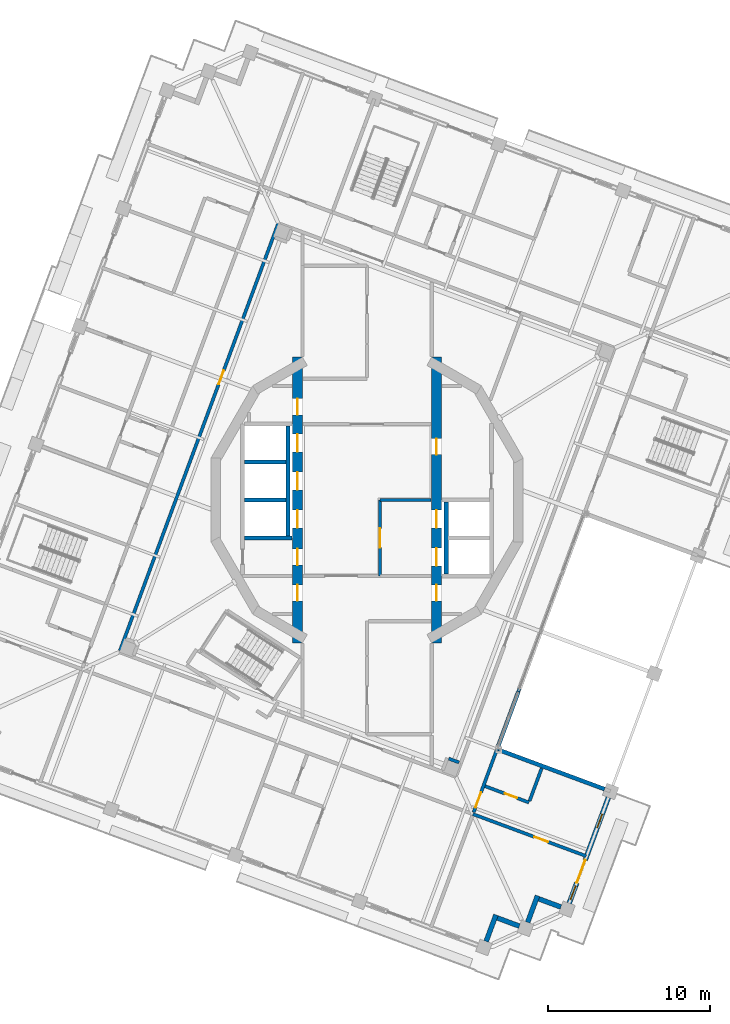
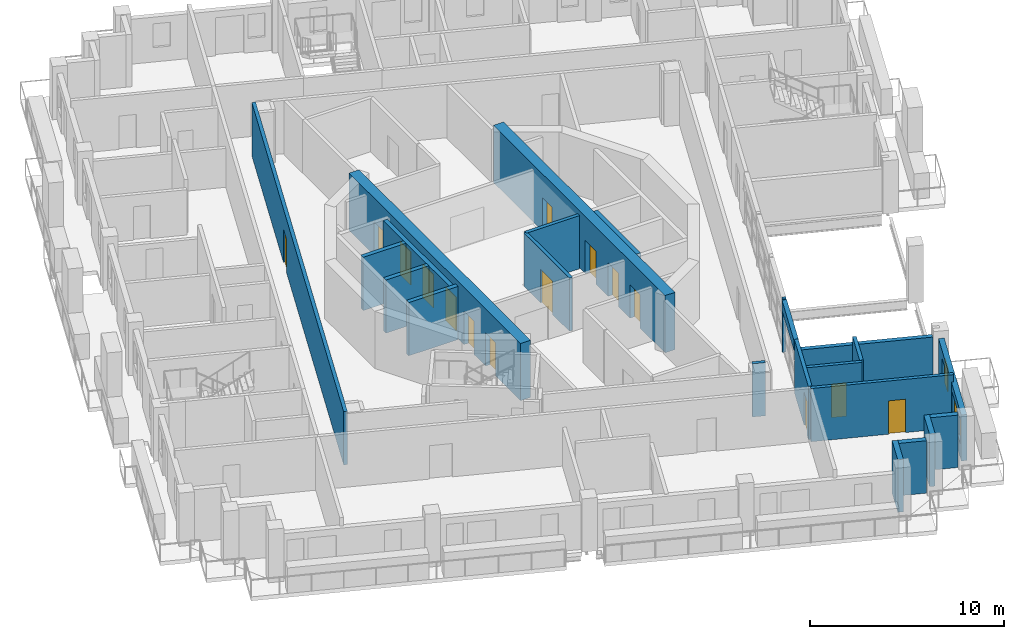
# One storey, part 7 of 19: 23 walls, 16 doors, 2 windows, 18 openings.
"""IFC4 building model written with IfcOpenShell, lengths in metres."""

from ifc_helpers import new_model, si_unit, direction, frame, frame_2d, origin, place, context, subcontext, project, spatial, rectangle, extrude, material, layer, layer_set, type_object, element, fill, save


model = new_model("IFC4")

# Units and contexts
model_context = context("Model", 3, precision=1e-05, world=origin(), true_north=direction((0.0, 1.0)))
body_context = subcontext(model_context, "Body", "Model", "MODEL_VIEW")
ifc_project = project(units=[si_unit("LENGTHUNIT", "METRE"), si_unit("AREAUNIT", "SQUARE_METRE"), si_unit("VOLUMEUNIT", "CUBIC_METRE"), si_unit("PLANEANGLEUNIT", "RADIAN"), si_unit("MASSUNIT", "GRAM", prefix="KILO")], contexts=[model_context])

# Site, building, storey
site_placement = place(None, origin())
site = spatial("IfcSite", under=ifc_project, at=site_placement, CompositionType="ELEMENT")
building_placement = place(site_placement, origin())
building = spatial("IfcBuilding", under=site, at=building_placement, Name="Cantera Rosa Tower", CompositionType="ELEMENT")
storey_placement = place(building_placement, frame((0.0, 0.0, 334.89990234375)))
storey = spatial("IfcBuildingStorey", under=building, at=storey_placement, Name="L75", CompositionType="ELEMENT", Elevation=334.89990234375)

# Wall, opening, door
ifc_material_1 = material(Name="Gypsum board partition")
ifc_layer_1 = layer(ifc_material_1, 0.199951171875)
ifc_layer_set_1 = layer_set([ifc_layer_1], Name="CORRIDOR WALL 200 H3350")
wall_type_1 = type_object("IfcWallType", Name="CORRIDOR WALL 200 H3350", PredefinedType="PARTITIONING", material=ifc_layer_set_1)
wall_1_placement = place(storey_placement, frame((-5.491455078125, 17.125244140625, 0.0), z_axis=(0.0, 0.0, 1.0), x_axis=(-0.347478457093, -0.937687966147, 0.0)))
wall_1 = element("IfcWall", 1, at=wall_1_placement, inside=storey, type_object=wall_type_1, Name="CORRIDOR WALL L75-045", PredefinedType="PARTITIONING", context=body_context, shape_type="SweptSolid", body=[
    extrude(rectangle(XDim=28.19970703125, YDim=0.199951171875, at=frame_2d((14.099853515625, 0.0))), origin(), (0.0, 0.0, 1.0), 3.35009765625),
])
opening_1_placement = place(wall_1_placement, frame((9.72509765625, 0.0, 0.0)))
opening_1 = element("IfcOpeningElement", 2, at=opening_1_placement, cuts=wall_1, Name="Opening L75-006", PredefinedType="OPENING", context=body_context, shape_type="SweptSolid", body=[
    extrude(rectangle(XDim=0.89990234375, YDim=2.10009765625, at=frame_2d((0.449951171875, 1.050048828125))), frame((0.0, 0.10986328125, 0.0), z_axis=(0.0, -1.0, 0.0), x_axis=(1.0, 0.0, 0.0)), (0.0, 0.0, 1.0), 0.219970703125),
])
ifc_material_2 = material(Name="Timber door leaf", Category="wood")
door_type_1 = type_object("IfcDoorType", Name="SERVICE DOOR 900x2100", OperationType="NOTDEFINED", PredefinedType="DOOR", material=ifc_material_2)
door_1_placement = place(opening_1_placement, origin())
door_1 = element("IfcDoor", 3, at=door_1_placement, inside=storey, type_object=door_type_1, Name="DOOR L75-006", OperationType="NOTDEFINED", OverallHeight=2.10009765625, OverallWidth=0.89990234375, PredefinedType="DOOR", context=body_context, shape_type="SweptSolid", body=[
    extrude(rectangle(XDim=0.89990234375, YDim=2.10009765625, at=frame_2d((0.449951171875, 1.050048828125))), frame((0.0, 0.02490234375, 0.0), z_axis=(0.0, -1.0, 0.0), x_axis=(1.0, 0.0, 0.0)), (0.0, 0.0, 1.0), 0.050048828125),
])
fill(opening_1, door_1)

wall_2_placement = place(storey_placement, frame((6.595458984375, -19.326171875, 0.0), z_axis=(0.0, 0.0, 1.0), x_axis=(0.347486922611, 0.937684829042, 0.0)))
wall_2 = element("IfcWall", 4, at=wall_2_placement, inside=storey, type_object=wall_type_1, Name="CORRIDOR WALL L75-090", PredefinedType="PARTITIONING", context=body_context, shape_type="SweptSolid", body=[
    extrude(rectangle(XDim=4.28515625, YDim=0.199951171875, at=frame_2d((2.142578125, 0.0))), origin(), (0.0, 0.0, 1.0), 3.35009765625),
])
opening_2_placement = place(wall_2_placement, frame((0.320068359375, 0.0, 0.0)))
opening_2 = element("IfcOpeningElement", 5, at=opening_2_placement, cuts=wall_2, Name="Opening L75-046", PredefinedType="OPENING", context=body_context, shape_type="SweptSolid", body=[
    extrude(rectangle(XDim=1.0, YDim=2.10009765625, at=frame_2d((0.5, 1.050048828125))), frame((0.0, 0.10986328125, 0.0), z_axis=(0.0, -1.0, 0.0), x_axis=(1.0, 0.0, 0.0)), (0.0, 0.0, 1.0), 0.219970703125),
])
ifc_material_3 = material(Name="Timber door leaf", Category="wood")
door_type_2 = type_object("IfcDoorType", Name="ENTRANCE DOOR 1000x2100", OperationType="NOTDEFINED", PredefinedType="DOOR", material=ifc_material_3)
door_2_placement = place(opening_2_placement, origin())
door_2 = element("IfcDoor", 6, at=door_2_placement, inside=storey, type_object=door_type_2, Name="DOOR L75-046", OperationType="NOTDEFINED", OverallHeight=2.10009765625, OverallWidth=1.0, PredefinedType="DOOR", context=body_context, shape_type="SweptSolid", body=[
    extrude(rectangle(XDim=1.0, YDim=2.10009765625, at=frame_2d((0.5, 1.050048828125))), frame((0.0, 0.02490234375, 0.0), z_axis=(0.0, -1.0, 0.0), x_axis=(1.0, 0.0, 0.0)), (0.0, 0.0, 1.0), 0.050048828125),
])
fill(opening_2, door_2)

# Walls
wall_3_placement = place(storey_placement, frame((9.359130859375, -11.86865234375, 0.0), z_axis=(0.0, 0.0, 1.0), x_axis=(0.347396343458, 0.937718390857, 0.0)))
element("IfcWall", 7, at=wall_3_placement, inside=storey, type_object=wall_type_1, Name="CORRIDOR WALL L75-091", PredefinedType="PARTITIONING", context=body_context, shape_type="SweptSolid", body=[
    extrude(rectangle(XDim=0.19384765625, YDim=0.199951171875, at=frame_2d((0.096923828125, 0.0))), origin(), (0.0, 0.0, 1.0), 3.35009765625),
])
ifc_material_4 = material(Name="Hollow clay masonry with cantera stone cladding", Category="masonry")
ifc_layer_2 = layer(ifc_material_4, 0.300048828125)
ifc_layer_set_2 = layer_set([ifc_layer_2], Name="EW-LOGGIA 300")
wall_type_2 = type_object("IfcWallType", Name="EW-LOGGIA 300", PredefinedType="SOLIDWALL", material=ifc_layer_set_2)
wall_4_placement = place(storey_placement, frame((7.36865234375, -27.312255859375, 0.0), z_axis=(0.0, 0.0, 1.0), x_axis=(0.34752790836, 0.937669639538, 0.0)))
element("IfcWall", 8, at=wall_4_placement, inside=storey, type_object=wall_type_2, Name="EN-L75-W18a", PredefinedType="SOLIDWALL", context=body_context, shape_type="SweptSolid", body=[
    extrude(rectangle(XDim=1.75, YDim=0.300048828125, at=frame_2d((0.875, 0.0))), origin(), (0.0, 0.0, 1.0), 3.300048828125),
])
wall_5_placement = place(storey_placement, frame((8.065185546875, -25.8642578125, 0.0), z_axis=(0.0, 0.0, 1.0), x_axis=(0.937671557958, -0.347522732201, 0.0)))
element("IfcWall", 9, at=wall_5_placement, inside=storey, type_object=wall_type_2, Name="EN-L75-W18b", PredefinedType="SOLIDWALL", context=body_context, shape_type="SweptSolid", body=[
    extrude(rectangle(XDim=1.449951171875, YDim=0.300048828125, at=frame_2d((0.72509765625, 0.0))), origin(), (0.0, 0.0, 1.0), 3.300048828125),
])
wall_6_placement = place(storey_placement, frame((9.93896484375, -26.132080078125, 0.0), z_axis=(0.0, 0.0, 1.0), x_axis=(0.34748245117, 0.937686486054, 0.0)))
element("IfcWall", 10, at=wall_6_placement, inside=storey, type_object=wall_type_2, Name="EN-L75-W19a", PredefinedType="SOLIDWALL", context=body_context, shape_type="SweptSolid", body=[
    extrude(rectangle(XDim=1.750244140625, YDim=0.300048828125, at=frame_2d((0.875, 0.0))), origin(), (0.0, 0.0, 1.0), 3.300048828125),
])
wall_7_placement = place(storey_placement, frame((10.635498046875, -24.683837890625, 0.0), z_axis=(0.0, 0.0, 1.0), x_axis=(0.937671557958, -0.347522732201, 0.0)))
element("IfcWall", 11, at=wall_7_placement, inside=storey, type_object=wall_type_2, Name="EN-L75-W19b", PredefinedType="SOLIDWALL", context=body_context, shape_type="SweptSolid", body=[
    extrude(rectangle(XDim=1.449951171875, YDim=0.300048828125, at=frame_2d((0.72509765625, 0.0))), origin(), (0.0, 0.0, 1.0), 3.300048828125),
])

# Wall, openings, windows, door
ifc_material_5 = material(Name="Hollow clay masonry with cantera stone cladding", Category="masonry")
ifc_layer_3 = layer(ifc_material_5, 0.300048828125)
ifc_layer_set_3 = layer_set([ifc_layer_3], Name="EW-LOGGIA 300 H2890")
wall_type_3 = type_object("IfcWallType", Name="EW-LOGGIA 300 H2890", PredefinedType="SOLIDWALL", material=ifc_layer_set_3)
wall_8_placement = place(storey_placement, frame((12.50927734375, -24.95166015625, 0.0), z_axis=(0.0, 0.0, 1.0), x_axis=(0.347490919506, 0.937683347864, 0.0)))
wall_8 = element("IfcWall", 12, at=wall_8_placement, inside=storey, type_object=wall_type_3, Name="EN-L75-W20", PredefinedType="SOLIDWALL", context=body_context, shape_type="SweptSolid", body=[
    extrude(rectangle(XDim=6.980224609375, YDim=0.300048828125, at=frame_2d((3.490234375, 0.0))), origin(), (0.0, 0.0, 1.0), 2.89013671875),
])
opening_3_placement = place(wall_8_placement, frame((0.2451171875, 0.0, 0.89990234375)))
opening_3 = element("IfcOpeningElement", 13, at=opening_3_placement, cuts=wall_8, Name="Opening L75-W40", PredefinedType="OPENING", context=body_context, shape_type="SweptSolid", body=[
    extrude(rectangle(XDim=0.89990234375, YDim=1.5, at=frame_2d((0.449951171875, 0.75))), frame((0.0, 0.159912109375, 0.0), z_axis=(0.0, -1.0, 0.0), x_axis=(1.0, 0.0, 0.0)), (0.0, 0.0, 1.0), 0.320068359375),
])
opening_4_placement = place(wall_8_placement, frame((1.344970703125, 0.0, 0.0)))
opening_4 = element("IfcOpeningElement", 14, at=opening_4_placement, cuts=wall_8, Name="Opening L75-TD41", PredefinedType="OPENING", context=body_context, shape_type="SweptSolid", body=[
    extrude(rectangle(XDim=1.5, YDim=2.39990234375, at=frame_2d((0.75, 1.199951171875))), frame((0.0, 0.159912109375, 0.0), z_axis=(0.0, -1.0, 0.0), x_axis=(1.0, 0.0, 0.0)), (0.0, 0.0, 1.0), 0.320068359375),
])
opening_5_placement = place(wall_8_placement, frame((4.985107421875, 0.0, 0.89990234375)))
opening_5 = element("IfcOpeningElement", 15, at=opening_5_placement, cuts=wall_8, Name="Opening L75-W42", PredefinedType="OPENING", context=body_context, shape_type="SweptSolid", body=[
    extrude(rectangle(XDim=0.89990234375, YDim=1.5, at=frame_2d((0.449951171875, 0.75))), frame((0.0, 0.159912109375, 0.0), z_axis=(0.0, -1.0, 0.0), x_axis=(1.0, 0.0, 0.0)), (0.0, 0.0, 1.0), 0.320068359375),
])
ifc_material_6 = material(Name="Aluminium frame with clear glass", Category="aluminium")
window_type = type_object("IfcWindowType", Name="Residential window 900x1500", PartitioningType="SINGLE_PANEL", PredefinedType="WINDOW", material=ifc_material_6)
window_1_placement = place(opening_3_placement, origin())
window_1 = element("IfcWindow", 16, at=window_1_placement, inside=storey, type_object=window_type, Name="WINDOW L75-W40", OverallHeight=1.5, OverallWidth=0.89990234375, PartitioningType="SINGLE_PANEL", PredefinedType="WINDOW", context=body_context, shape_type="SweptSolid", body=[
    extrude(rectangle(XDim=0.89990234375, YDim=1.5, at=frame_2d((0.449951171875, 0.75))), frame((0.0, 0.030029296875, 0.0), z_axis=(0.0, -1.0, 0.0), x_axis=(1.0, 0.0, 0.0)), (0.0, 0.0, 1.0), 0.06005859375),
])
fill(opening_3, window_1)
window_2_placement = place(opening_5_placement, origin())
window_2 = element("IfcWindow", 17, at=window_2_placement, inside=storey, type_object=window_type, Name="WINDOW L75-W42", OverallHeight=1.5, OverallWidth=0.89990234375, PartitioningType="SINGLE_PANEL", PredefinedType="WINDOW", context=body_context, shape_type="SweptSolid", body=[
    extrude(rectangle(XDim=0.89990234375, YDim=1.5, at=frame_2d((0.449951171875, 0.75))), frame((0.0, 0.030029296875, 0.0), z_axis=(0.0, -1.0, 0.0), x_axis=(1.0, 0.0, 0.0)), (0.0, 0.0, 1.0), 0.06005859375),
])
fill(opening_5, window_2)
ifc_material_7 = material(Name="Aluminium frame with clear glass", Category="aluminium")
door_type_3 = type_object("IfcDoorType", Name="TD-R 1500x2400", OperationType="NOTDEFINED", PredefinedType="DOOR", material=ifc_material_7)
door_3_placement = place(opening_4_placement, origin())
door_3 = element("IfcDoor", 18, at=door_3_placement, inside=storey, type_object=door_type_3, Name="LOGGIA DOOR L75-TD41", OperationType="SLIDING_TO_LEFT", OverallHeight=2.39990234375, OverallWidth=1.5, PredefinedType="DOOR", context=body_context, shape_type="SweptSolid", body=[
    extrude(rectangle(XDim=1.5, YDim=2.39990234375, at=frame_2d((0.75, 1.199951171875))), frame((0.0, 0.02490234375, 0.0), z_axis=(0.0, -1.0, 0.0), x_axis=(1.0, 0.0, 0.0)), (0.0, 0.0, 1.0), 0.050048828125),
])
fill(opening_4, door_3)

# Walls
ifc_material_8 = material(Name="Concrete C40/50", Category="concrete")
ifc_layer_4 = layer(ifc_material_8, 0.25)
ifc_layer_set_4 = layer_set([ifc_layer_4], Name="EW-POCKET CHEEK 250 H2820")
wall_type_4 = type_object("IfcWallType", Name="EW-POCKET CHEEK 250 H2820", PredefinedType="SOLIDWALL", material=ifc_layer_set_4)
wall_9_placement = place(storey_placement, frame((14.69873046875, -17.892333984375, 0.0), z_axis=(0.0, 0.0, 1.0), x_axis=(-0.937689427556, 0.34747451338, 0.0)))
element("IfcWall", 19, at=wall_9_placement, inside=storey, type_object=wall_type_4, Name="POCKET CHEEK A L75", PredefinedType="SOLIDWALL", context=body_context, shape_type="SweptSolid", body=[
    extrude(rectangle(XDim=7.000244140625, YDim=0.25, at=frame_2d((3.5, 0.0))), origin(), (0.0, 0.0, 1.0), 2.820068359375),
])
ifc_material_9 = material(Name="Hollow clay masonry with cantera stone cladding", Category="masonry")
ifc_layer_5 = layer(ifc_material_9, 0.25)
ifc_layer_set_5 = layer_set([ifc_layer_5], Name="EW-POCKET REAR 250")
wall_type_5 = type_object("IfcWallType", Name="EW-POCKET REAR 250", PredefinedType="SOLIDWALL", material=ifc_layer_set_5)
wall_10_placement = place(storey_placement, frame((8.08447265625, -15.30810546875, 2.658203125), z_axis=(0.0, 0.0, 1.0), x_axis=(0.347502945149, 0.937678891259, 0.0)))
element("IfcWall", 20, at=wall_10_placement, inside=storey, type_object=wall_type_5, Name="POCKET SPANDREL L75-1", PredefinedType="SOLIDWALL", context=body_context, shape_type="SweptSolid", body=[
    extrude(rectangle(XDim=3.66796875, YDim=0.25, at=frame_2d((1.833984375, 0.0))), origin(), (0.0, 0.0, 1.0), 0.641845703125),
])
ifc_material_10 = material(Name="Gypsum board partition")
ifc_layer_6 = layer(ifc_material_10, 0.199951171875)
ifc_layer_set_6 = layer_set([ifc_layer_6], Name="PARTITION 200 H3350")
wall_type_6 = type_object("IfcWallType", Name="PARTITION 200 H3350", PredefinedType="PARTITIONING", material=ifc_layer_set_6)
wall_11_placement = place(storey_placement, frame((5.691650390625, -16.23974609375, 0.0), z_axis=(0.0, 0.0, 1.0), x_axis=(-0.937679455874, 0.347501421626, 0.0)))
element("IfcWall", 21, at=wall_11_placement, inside=storey, type_object=wall_type_6, Name="PARTITION L75-086", PredefinedType="PARTITIONING", context=body_context, shape_type="SweptSolid", body=[
    extrude(rectangle(XDim=0.68017578125, YDim=0.199951171875, at=frame_2d((0.340087890625, 0.0))), origin(), (0.0, 0.0, 1.0), 3.35009765625),
])

# Wall, opening, door
wall_12_placement = place(storey_placement, frame((6.5537109375, -19.438720703125, 0.0), z_axis=(0.0, 0.0, 1.0), x_axis=(0.937698682222, -0.347449537859, 0.0)))
wall_12 = element("IfcWall", 22, at=wall_12_placement, inside=storey, type_object=wall_type_6, Name="PARTITION L75-089", PredefinedType="PARTITIONING", context=body_context, shape_type="SweptSolid", body=[
    extrude(rectangle(XDim=7.469970703125, YDim=0.199951171875, at=frame_2d((3.73486328125, 0.0))), origin(), (0.0, 0.0, 1.0), 3.35009765625),
])
opening_6_placement = place(wall_12_placement, frame((4.050048828125, 0.0, 0.0)))
opening_6 = element("IfcOpeningElement", 23, at=opening_6_placement, cuts=wall_12, Name="Opening L75-048", PredefinedType="OPENING", context=body_context, shape_type="SweptSolid", body=[
    extrude(rectangle(XDim=0.89990234375, YDim=2.10009765625, at=frame_2d((0.449951171875, 1.050048828125))), frame((0.0, 0.10986328125, 0.0), z_axis=(0.0, -1.0, 0.0), x_axis=(1.0, 0.0, 0.0)), (0.0, 0.0, 1.0), 0.219970703125),
])
ifc_material_11 = material(Name="Timber door leaf", Category="wood")
door_type_4 = type_object("IfcDoorType", Name="ROOM DOOR 900x2100", OperationType="NOTDEFINED", PredefinedType="DOOR", material=ifc_material_11)
door_4_placement = place(opening_6_placement, origin())
door_4 = element("IfcDoor", 24, at=door_4_placement, inside=storey, type_object=door_type_4, Name="DOOR L75-048", OperationType="NOTDEFINED", OverallHeight=2.10009765625, OverallWidth=0.89990234375, PredefinedType="DOOR", context=body_context, shape_type="SweptSolid", body=[
    extrude(rectangle(XDim=0.89990234375, YDim=2.10009765625, at=frame_2d((0.449951171875, 1.050048828125))), frame((0.0, 0.02490234375, 0.0), z_axis=(0.0, -1.0, 0.0), x_axis=(1.0, 0.0, 0.0)), (0.0, 0.0, 1.0), 0.050048828125),
])
fill(opening_6, door_4)

wall_13_placement = place(storey_placement, frame((10.020263671875, -18.71826171875, 0.0), z_axis=(0.0, 0.0, 1.0), x_axis=(-0.937681724156, 0.347495300953, 0.0)))
wall_13 = element("IfcWall", 25, at=wall_13_placement, inside=storey, type_object=wall_type_6, Name="PARTITION L75-101", PredefinedType="PARTITIONING", context=body_context, shape_type="SweptSolid", body=[
    extrude(rectangle(XDim=2.900146484375, YDim=0.199951171875, at=frame_2d((1.4501953125, 0.0))), origin(), (0.0, 0.0, 1.0), 3.35009765625),
])
opening_7_placement = place(wall_13_placement, frame((0.800048828125, 0.0, 0.0)))
opening_7 = element("IfcOpeningElement", 26, at=opening_7_placement, cuts=wall_13, Name="Opening L75-047", PredefinedType="OPENING", context=body_context, shape_type="SweptSolid", body=[
    extrude(rectangle(XDim=0.800048828125, YDim=2.10009765625, at=frame_2d((0.39990234375, 1.050048828125))), frame((0.0, 0.10986328125, 0.0), z_axis=(0.0, -1.0, 0.0), x_axis=(1.0, 0.0, 0.0)), (0.0, 0.0, 1.0), 0.219970703125),
])
ifc_material_12 = material(Name="Timber door leaf", Category="wood")
door_type_5 = type_object("IfcDoorType", Name="BATHROOM DOOR 800x2100", OperationType="NOTDEFINED", PredefinedType="DOOR", material=ifc_material_12)
door_5_placement = place(opening_7_placement, origin())
door_5 = element("IfcDoor", 27, at=door_5_placement, inside=storey, type_object=door_type_5, Name="DOOR L75-047", OperationType="NOTDEFINED", OverallHeight=2.10009765625, OverallWidth=0.800048828125, PredefinedType="DOOR", context=body_context, shape_type="SweptSolid", body=[
    extrude(rectangle(XDim=0.800048828125, YDim=2.10009765625, at=frame_2d((0.39990234375, 1.050048828125))), frame((0.0, 0.02490234375, 0.0), z_axis=(0.0, -1.0, 0.0), x_axis=(1.0, 0.0, 0.0)), (0.0, 0.0, 1.0), 0.050048828125),
])
fill(opening_7, door_5)

# Wall
wall_14_placement = place(storey_placement, frame((10.80712890625, -16.59423828125, 0.0), z_axis=(0.0, 0.0, 1.0), x_axis=(-0.347413511938, -0.937712030275, 0.0)))
element("IfcWall", 28, at=wall_14_placement, inside=storey, type_object=wall_type_6, Name="PARTITION L75-102", PredefinedType="PARTITIONING", context=body_context, shape_type="SweptSolid", body=[
    extrude(rectangle(XDim=2.1650390625, YDim=0.199951171875, at=frame_2d((1.08251953125, 0.0))), origin(), (0.0, 0.0, 1.0), 3.35009765625),
])

# Wall, openings, doors
ifc_material_13 = material(Name="Concrete C50/60", Category="concrete")
ifc_layer_7 = layer(ifc_material_13, 0.60009765625)
ifc_layer_set_7 = layer_set([ifc_layer_7], Name="RC CORE WALL 600 C50/60")
wall_type_7 = type_object("IfcWallType", Name="RC CORE WALL 600 C50/60", PredefinedType="SHEAR", material=ifc_layer_set_7)
wall_15_placement = place(storey_placement, frame((-4.300048828125, 8.84423828125, 0.0), z_axis=(0.0, 0.0, 1.0), x_axis=(0.0, -1.0, 0.0)))
wall_15 = element("IfcWall", 29, at=wall_15_placement, inside=storey, type_object=wall_type_7, Name="CW-W6 L75", PredefinedType="SHEAR", context=body_context, shape_type="SweptSolid", body=[
    extrude(rectangle(XDim=17.6884765625, YDim=0.60009765625, at=frame_2d((8.84423828125, 0.0))), origin(), (0.0, 0.0, 1.0), 3.60009765625),
])
opening_8_placement = place(wall_15_placement, frame((9.468994140625, 0.0, 0.0)))
opening_8 = element("IfcOpeningElement", 30, at=opening_8_placement, cuts=wall_15, Name="Opening LD-H1-L75", PredefinedType="OPENING", context=body_context, shape_type="SweptSolid", body=[
    extrude(rectangle(XDim=1.10009765625, YDim=2.10009765625, at=frame_2d((0.550048828125, 1.050048828125))), frame((0.0, 0.31005859375, 0.0), z_axis=(0.0, -1.0, 0.0), x_axis=(1.0, 0.0, 0.0)), (0.0, 0.0, 1.0), 0.6201171875),
])
opening_9_placement = place(wall_15_placement, frame((7.119140625, 0.0, 0.0)))
opening_9 = element("IfcOpeningElement", 31, at=opening_9_placement, cuts=wall_15, Name="Opening LD-H2-L75", PredefinedType="OPENING", context=body_context, shape_type="SweptSolid", body=[
    extrude(rectangle(XDim=1.10009765625, YDim=2.10009765625, at=frame_2d((0.550048828125, 1.050048828125))), frame((0.0, 0.31005859375, 0.0), z_axis=(0.0, -1.0, 0.0), x_axis=(1.0, 0.0, 0.0)), (0.0, 0.0, 1.0), 0.6201171875),
])
opening_10_placement = place(wall_15_placement, frame((4.76904296875, 0.0, 0.0)))
opening_10 = element("IfcOpeningElement", 32, at=opening_10_placement, cuts=wall_15, Name="Opening LD-H3-L75", PredefinedType="OPENING", context=body_context, shape_type="SweptSolid", body=[
    extrude(rectangle(XDim=1.10009765625, YDim=2.10009765625, at=frame_2d((0.550048828125, 1.050048828125))), frame((0.0, 0.31005859375, 0.0), z_axis=(0.0, -1.0, 0.0), x_axis=(1.0, 0.0, 0.0)), (0.0, 0.0, 1.0), 0.6201171875),
])
opening_11_placement = place(wall_15_placement, frame((14.091552734375, 0.0, 0.0)))
opening_11 = element("IfcOpeningElement", 33, at=opening_11_placement, cuts=wall_15, Name="Opening SD-L75-16", PredefinedType="OPENING", context=body_context, shape_type="SweptSolid", body=[
    extrude(rectangle(XDim=1.0, YDim=2.10009765625, at=frame_2d((0.5, 1.050048828125))), frame((0.0, 0.31005859375, 0.0), z_axis=(0.0, -1.0, 0.0), x_axis=(1.0, 0.0, 0.0)), (0.0, 0.0, 1.0), 0.6201171875),
])
opening_12_placement = place(wall_15_placement, frame((2.572265625, 0.0, 0.0)))
opening_12 = element("IfcOpeningElement", 34, at=opening_12_placement, cuts=wall_15, Name="Opening SD-L75-17", PredefinedType="OPENING", context=body_context, shape_type="SweptSolid", body=[
    extrude(rectangle(XDim=1.0, YDim=2.10009765625, at=frame_2d((0.5, 1.050048828125))), frame((0.0, 0.31005859375, 0.0), z_axis=(0.0, -1.0, 0.0), x_axis=(1.0, 0.0, 0.0)), (0.0, 0.0, 1.0), 0.6201171875),
])
opening_13_placement = place(wall_15_placement, frame((11.869140625, 0.0, 0.0)))
opening_13 = element("IfcOpeningElement", 35, at=opening_13_placement, cuts=wall_15, Name="Opening SD-L75-18", PredefinedType="OPENING", context=body_context, shape_type="SweptSolid", body=[
    extrude(rectangle(XDim=1.0, YDim=2.10009765625, at=frame_2d((0.5, 1.050048828125))), frame((0.0, 0.31005859375, 0.0), z_axis=(0.0, -1.0, 0.0), x_axis=(1.0, 0.0, 0.0)), (0.0, 0.0, 1.0), 0.6201171875),
])
ifc_material_14 = material(Name="Steel S355J2 (EN 10025-2)", Category="steel")
door_type_6 = type_object("IfcDoorType", Name="LANDING DOOR 1100x2100", OperationType="NOTDEFINED", PredefinedType="DOOR", material=ifc_material_14)
door_6_placement = place(opening_8_placement, origin())
door_6 = element("IfcDoor", 36, at=door_6_placement, inside=storey, type_object=door_type_6, Name="LANDING DOOR H1 L75", OperationType="SLIDING_TO_LEFT", OverallHeight=2.10009765625, OverallWidth=1.10009765625, PredefinedType="DOOR", context=body_context, shape_type="SweptSolid", body=[
    extrude(rectangle(XDim=1.10009765625, YDim=2.10009765625, at=frame_2d((0.550048828125, 1.050048828125))), frame((0.0, 0.02490234375, 0.0), z_axis=(0.0, -1.0, 0.0), x_axis=(1.0, 0.0, 0.0)), (0.0, 0.0, 1.0), 0.050048828125),
])
fill(opening_8, door_6)
door_7_placement = place(opening_9_placement, origin())
door_7 = element("IfcDoor", 37, at=door_7_placement, inside=storey, type_object=door_type_6, Name="LANDING DOOR H2 L75", OperationType="SLIDING_TO_LEFT", OverallHeight=2.10009765625, OverallWidth=1.10009765625, PredefinedType="DOOR", context=body_context, shape_type="SweptSolid", body=[
    extrude(rectangle(XDim=1.10009765625, YDim=2.10009765625, at=frame_2d((0.550048828125, 1.050048828125))), frame((0.0, 0.02490234375, 0.0), z_axis=(0.0, -1.0, 0.0), x_axis=(1.0, 0.0, 0.0)), (0.0, 0.0, 1.0), 0.050048828125),
])
fill(opening_9, door_7)
door_8_placement = place(opening_10_placement, origin())
door_8 = element("IfcDoor", 38, at=door_8_placement, inside=storey, type_object=door_type_6, Name="LANDING DOOR H3 L75", OperationType="SLIDING_TO_LEFT", OverallHeight=2.10009765625, OverallWidth=1.10009765625, PredefinedType="DOOR", context=body_context, shape_type="SweptSolid", body=[
    extrude(rectangle(XDim=1.10009765625, YDim=2.10009765625, at=frame_2d((0.550048828125, 1.050048828125))), frame((0.0, 0.02490234375, 0.0), z_axis=(0.0, -1.0, 0.0), x_axis=(1.0, 0.0, 0.0)), (0.0, 0.0, 1.0), 0.050048828125),
])
fill(opening_10, door_8)
ifc_material_15 = material(Name="Timber door leaf", Category="wood")
door_type_7 = type_object("IfcDoorType", Name="SERVICE DOOR 1000x2100", OperationType="NOTDEFINED", PredefinedType="DOOR", material=ifc_material_15)
door_9_placement = place(opening_11_placement, origin())
door_9 = element("IfcDoor", 39, at=door_9_placement, inside=storey, type_object=door_type_7, Name="DOOR L75-SD16", OperationType="NOTDEFINED", OverallHeight=2.10009765625, OverallWidth=1.0, PredefinedType="DOOR", context=body_context, shape_type="SweptSolid", body=[
    extrude(rectangle(XDim=1.0, YDim=2.10009765625, at=frame_2d((0.5, 1.050048828125))), frame((0.0, 0.02490234375, 0.0), z_axis=(0.0, -1.0, 0.0), x_axis=(1.0, 0.0, 0.0)), (0.0, 0.0, 1.0), 0.050048828125),
])
fill(opening_11, door_9)
door_10_placement = place(opening_12_placement, origin())
door_10 = element("IfcDoor", 40, at=door_10_placement, inside=storey, type_object=door_type_7, Name="DOOR L75-SD17", OperationType="NOTDEFINED", OverallHeight=2.10009765625, OverallWidth=1.0, PredefinedType="DOOR", context=body_context, shape_type="SweptSolid", body=[
    extrude(rectangle(XDim=1.0, YDim=2.10009765625, at=frame_2d((0.5, 1.050048828125))), frame((0.0, 0.02490234375, 0.0), z_axis=(0.0, -1.0, 0.0), x_axis=(1.0, 0.0, 0.0)), (0.0, 0.0, 1.0), 0.050048828125),
])
fill(opening_12, door_10)
door_11_placement = place(opening_13_placement, origin())
door_11 = element("IfcDoor", 41, at=door_11_placement, inside=storey, type_object=door_type_7, Name="DOOR L75-SD18", OperationType="NOTDEFINED", OverallHeight=2.10009765625, OverallWidth=1.0, PredefinedType="DOOR", context=body_context, shape_type="SweptSolid", body=[
    extrude(rectangle(XDim=1.0, YDim=2.10009765625, at=frame_2d((0.5, 1.050048828125))), frame((0.0, 0.02490234375, 0.0), z_axis=(0.0, -1.0, 0.0), x_axis=(1.0, 0.0, 0.0)), (0.0, 0.0, 1.0), 0.050048828125),
])
fill(opening_13, door_11)

wall_16_placement = place(storey_placement, frame((4.300048828125, -8.84423828125, 0.0), z_axis=(0.0, 0.0, 1.0), x_axis=(0.0, 1.0, 0.0)))
wall_16 = element("IfcWall", 42, at=wall_16_placement, inside=storey, type_object=wall_type_7, Name="CW-E6 L75", PredefinedType="SHEAR", context=body_context, shape_type="SweptSolid", body=[
    extrude(rectangle(XDim=17.6884765625, YDim=0.60009765625, at=frame_2d((8.84423828125, 0.0))), origin(), (0.0, 0.0, 1.0), 3.60009765625),
])
opening_14_placement = place(wall_16_placement, frame((4.76904296875, 0.0, 0.0)))
opening_14 = element("IfcOpeningElement", 43, at=opening_14_placement, cuts=wall_16, Name="Opening LD-FF1-L75", PredefinedType="OPENING", context=body_context, shape_type="SweptSolid", body=[
    extrude(rectangle(XDim=1.10009765625, YDim=2.10009765625, at=frame_2d((0.550048828125, 1.050048828125))), frame((0.0, 0.31005859375, 0.0), z_axis=(0.0, -1.0, 0.0), x_axis=(1.0, 0.0, 0.0)), (0.0, 0.0, 1.0), 0.6201171875),
])
opening_15_placement = place(wall_16_placement, frame((7.119140625, 0.0, 0.0)))
opening_15 = element("IfcOpeningElement", 44, at=opening_15_placement, cuts=wall_16, Name="Opening LD-FF2-L75", PredefinedType="OPENING", context=body_context, shape_type="SweptSolid", body=[
    extrude(rectangle(XDim=1.10009765625, YDim=2.10009765625, at=frame_2d((0.550048828125, 1.050048828125))), frame((0.0, 0.31005859375, 0.0), z_axis=(0.0, -1.0, 0.0), x_axis=(1.0, 0.0, 0.0)), (0.0, 0.0, 1.0), 0.6201171875),
])
opening_16_placement = place(wall_16_placement, frame((2.5966796875, 0.0, 0.0)))
opening_16 = element("IfcOpeningElement", 45, at=opening_16_placement, cuts=wall_16, Name="Opening SD-L75-19", PredefinedType="OPENING", context=body_context, shape_type="SweptSolid", body=[
    extrude(rectangle(XDim=1.0, YDim=2.10009765625, at=frame_2d((0.5, 1.050048828125))), frame((0.0, 0.31005859375, 0.0), z_axis=(0.0, -1.0, 0.0), x_axis=(1.0, 0.0, 0.0)), (0.0, 0.0, 1.0), 0.6201171875),
])
opening_17_placement = place(wall_16_placement, frame((11.6494140625, 0.0, 0.0)))
opening_17 = element("IfcOpeningElement", 46, at=opening_17_placement, cuts=wall_16, Name="Opening SD-L75-20", PredefinedType="OPENING", context=body_context, shape_type="SweptSolid", body=[
    extrude(rectangle(XDim=1.0, YDim=2.10009765625, at=frame_2d((0.5, 1.050048828125))), frame((0.0, 0.31005859375, 0.0), z_axis=(0.0, -1.0, 0.0), x_axis=(1.0, 0.0, 0.0)), (0.0, 0.0, 1.0), 0.6201171875),
])
door_12_placement = place(opening_14_placement, origin())
door_12 = element("IfcDoor", 47, at=door_12_placement, inside=storey, type_object=door_type_6, Name="LANDING DOOR FF1 L75", OperationType="SLIDING_TO_LEFT", OverallHeight=2.10009765625, OverallWidth=1.10009765625, PredefinedType="DOOR", context=body_context, shape_type="SweptSolid", body=[
    extrude(rectangle(XDim=1.10009765625, YDim=2.10009765625, at=frame_2d((0.550048828125, 1.050048828125))), frame((0.0, 0.02490234375, 0.0), z_axis=(0.0, -1.0, 0.0), x_axis=(1.0, 0.0, 0.0)), (0.0, 0.0, 1.0), 0.050048828125),
])
fill(opening_14, door_12)
door_13_placement = place(opening_15_placement, origin())
door_13 = element("IfcDoor", 48, at=door_13_placement, inside=storey, type_object=door_type_6, Name="LANDING DOOR FF2 L75", OperationType="SLIDING_TO_LEFT", OverallHeight=2.10009765625, OverallWidth=1.10009765625, PredefinedType="DOOR", context=body_context, shape_type="SweptSolid", body=[
    extrude(rectangle(XDim=1.10009765625, YDim=2.10009765625, at=frame_2d((0.550048828125, 1.050048828125))), frame((0.0, 0.02490234375, 0.0), z_axis=(0.0, -1.0, 0.0), x_axis=(1.0, 0.0, 0.0)), (0.0, 0.0, 1.0), 0.050048828125),
])
fill(opening_15, door_13)
door_14_placement = place(opening_16_placement, origin())
door_14 = element("IfcDoor", 49, at=door_14_placement, inside=storey, type_object=door_type_7, Name="DOOR L75-SD19", OperationType="NOTDEFINED", OverallHeight=2.10009765625, OverallWidth=1.0, PredefinedType="DOOR", context=body_context, shape_type="SweptSolid", body=[
    extrude(rectangle(XDim=1.0, YDim=2.10009765625, at=frame_2d((0.5, 1.050048828125))), frame((0.0, 0.02490234375, 0.0), z_axis=(0.0, -1.0, 0.0), x_axis=(1.0, 0.0, 0.0)), (0.0, 0.0, 1.0), 0.050048828125),
])
fill(opening_16, door_14)
door_15_placement = place(opening_17_placement, origin())
door_15 = element("IfcDoor", 50, at=door_15_placement, inside=storey, type_object=door_type_7, Name="DOOR L75-SD20", OperationType="NOTDEFINED", OverallHeight=2.10009765625, OverallWidth=1.0, PredefinedType="DOOR", context=body_context, shape_type="SweptSolid", body=[
    extrude(rectangle(XDim=1.0, YDim=2.10009765625, at=frame_2d((0.5, 1.050048828125))), frame((0.0, 0.02490234375, 0.0), z_axis=(0.0, -1.0, 0.0), x_axis=(1.0, 0.0, 0.0)), (0.0, 0.0, 1.0), 0.050048828125),
])
fill(opening_17, door_15)

# Walls
ifc_material_16 = material(Name="Masonry blockwork", Category="masonry")
ifc_layer_8 = layer(ifc_material_16, 0.25)
ifc_layer_set_8 = layer_set([ifc_layer_8], Name="SHAFT WALL 250 H3350")
wall_type_8 = type_object("IfcWallType", Name="SHAFT WALL 250 H3350", PredefinedType="SOLIDWALL", material=ifc_layer_set_8)
for number, where, z_axis, x_axis, name in (
    (51, (-7.574951171875, 0.0, 0.0), (0.0, 0.0, 1.0), (1.0, 0.0, 0.0), "SHAFT WALL L75-031"),
    (52, (-7.574951171875, 2.35009765625, 0.0), (0.0, 0.0, 1.0), (1.0, 0.0, 0.0), "SHAFT WALL L75-032"),
):
    element("IfcWall", number, at=place(storey_placement, frame(where, z_axis=z_axis, x_axis=x_axis)), inside=storey, type_object=wall_type_8, Name=name, PredefinedType="SOLIDWALL", context=body_context, shape_type="SweptSolid", body=[
        extrude(rectangle(XDim=2.554931640625, YDim=0.25, at=frame_2d((1.27734375, 0.0))), origin(), (0.0, 0.0, 1.0), 3.35009765625),
    ])
wall_17_placement = place(storey_placement, frame((-4.89990234375, -2.22509765625, 0.0), z_axis=(0.0, 0.0, 1.0), x_axis=(0.0, 1.0, 0.0)))
element("IfcWall", 53, at=wall_17_placement, inside=storey, type_object=wall_type_8, Name="SHAFT WALL L75-047", PredefinedType="SOLIDWALL", context=body_context, shape_type="SweptSolid", body=[
    extrude(rectangle(XDim=6.800048828125, YDim=0.25, at=frame_2d((3.39990234375, 0.0))), origin(), (0.0, 0.0, 1.0), 3.35009765625),
])
wall_18_placement = place(storey_placement, frame((-4.6298828125, -2.35009765625, 0.0), z_axis=(0.0, 0.0, 1.0), x_axis=(-1.0, 0.0, 0.0)))
element("IfcWall", 54, at=wall_18_placement, inside=storey, type_object=wall_type_8, Name="SHAFT WALL L75-049", PredefinedType="SOLIDWALL", context=body_context, shape_type="SweptSolid", body=[
    extrude(rectangle(XDim=2.945068359375, YDim=0.25, at=frame_2d((1.47265625, 0.0))), origin(), (0.0, 0.0, 1.0), 3.35009765625),
])
wall_19_placement = place(storey_placement, frame((4.89990234375, -0.125, 0.0), z_axis=(0.0, 0.0, 1.0), x_axis=(0.0, -1.0, 0.0)))
element("IfcWall", 55, at=wall_19_placement, inside=storey, type_object=wall_type_8, Name="SHAFT WALL L75-083", PredefinedType="SOLIDWALL", context=body_context, shape_type="SweptSolid", body=[
    extrude(rectangle(XDim=4.449951171875, YDim=0.25, at=frame_2d((2.22509765625, 0.0))), origin(), (0.0, 0.0, 1.0), 3.35009765625),
])

# Wall, opening, door
ifc_material_17 = material(Name="Concrete C50/60", Category="concrete")
ifc_layer_9 = layer(ifc_material_17, 0.199951171875)
ifc_layer_set_9 = layer_set([ifc_layer_9], Name="STAIR WALL 200 H3350")
wall_type_9 = type_object("IfcWallType", Name="STAIR WALL 200 H3350", PredefinedType="SOLIDWALL", material=ifc_layer_set_9)
wall_20_placement = place(storey_placement, frame((0.800048828125, -4.699951171875, 0.0), z_axis=(0.0, 0.0, 1.0), x_axis=(0.0, 1.0, 0.0)))
wall_20 = element("IfcWall", 56, at=wall_20_placement, inside=storey, type_object=wall_type_9, Name="STAIR WALL L75-070", PredefinedType="SOLIDWALL", context=body_context, shape_type="SweptSolid", body=[
    extrude(rectangle(XDim=4.699951171875, YDim=0.199951171875, at=frame_2d((2.35009765625, 0.0))), origin(), (0.0, 0.0, 1.0), 3.35009765625),
])
opening_18_placement = place(wall_20_placement, frame((1.75, 0.0, 0.0)))
opening_18 = element("IfcOpeningElement", 57, at=opening_18_placement, cuts=wall_20, Name="Opening L75-013", PredefinedType="OPENING", context=body_context, shape_type="SweptSolid", body=[
    extrude(rectangle(XDim=1.199951171875, YDim=2.10009765625, at=frame_2d((0.60009765625, 1.050048828125))), frame((0.0, 0.10986328125, 0.0), z_axis=(0.0, -1.0, 0.0), x_axis=(1.0, 0.0, 0.0)), (0.0, 0.0, 1.0), 0.219970703125),
])
ifc_material_18 = material(Name="Steel S355J2 (EN 10025-2)", Category="steel")
door_type_8 = type_object("IfcDoorType", Name="FIRE DOOR 1200x2100", OperationType="NOTDEFINED", PredefinedType="DOOR", material=ifc_material_18)
door_16_placement = place(opening_18_placement, origin())
door_16 = element("IfcDoor", 58, at=door_16_placement, inside=storey, type_object=door_type_8, Name="DOOR L75-013", OperationType="NOTDEFINED", OverallHeight=2.10009765625, OverallWidth=1.199951171875, PredefinedType="DOOR", context=body_context, shape_type="SweptSolid", body=[
    extrude(rectangle(XDim=1.199951171875, YDim=2.10009765625, at=frame_2d((0.60009765625, 1.050048828125))), frame((0.0, 0.02490234375, 0.0), z_axis=(0.0, -1.0, 0.0), x_axis=(1.0, 0.0, 0.0)), (0.0, 0.0, 1.0), 0.050048828125),
])
fill(opening_18, door_16)

# Wall
wall_21_placement = place(storey_placement, frame((0.800048828125, 0.0, 0.0), z_axis=(0.0, 0.0, 1.0), x_axis=(1.0, 0.0, 0.0)))
element("IfcWall", 59, at=wall_21_placement, inside=storey, type_object=wall_type_9, Name="STAIR WALL L75-071", PredefinedType="SOLIDWALL", context=body_context, shape_type="SweptSolid", body=[
    extrude(rectangle(XDim=3.169921875, YDim=0.199951171875, at=frame_2d((1.5849609375, 0.0))), origin(), (0.0, 0.0, 1.0), 3.35009765625),
])

save(model, "model.ifc")
